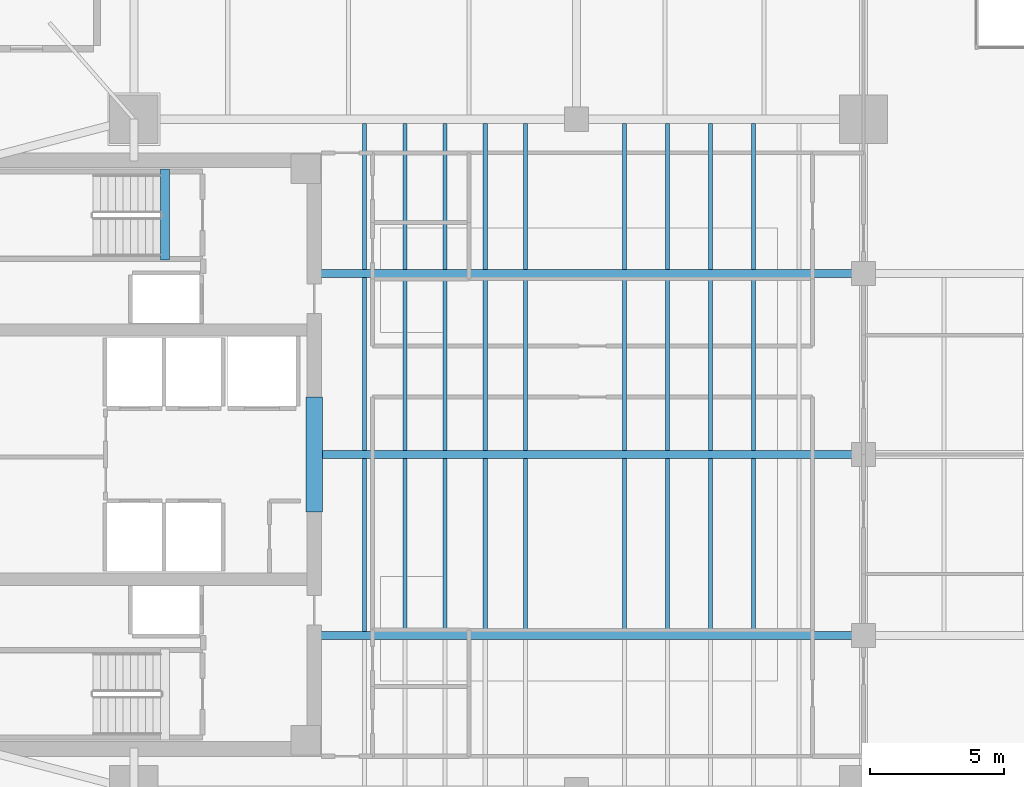
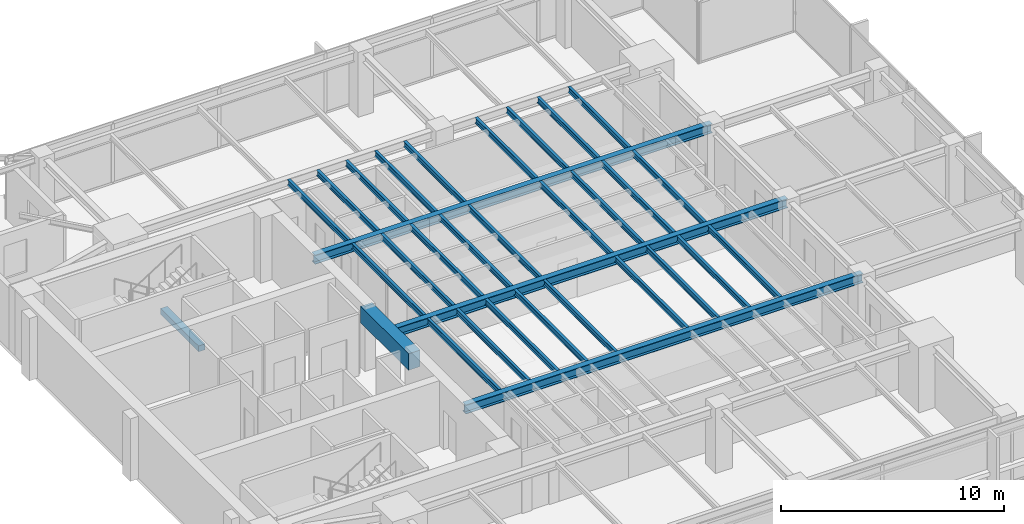
# One storey, part 3 of 14: 32 beams.
"""IFC4 building model written with IfcOpenShell, lengths in metres."""

from ifc_helpers import new_model, si_unit, direction, frame, origin, origin_2d, place, context, subcontext, project, spatial, rectangle, i_section, extrude, material, material_profile, profile_set, type_object, element, save


model = new_model("IFC4")

# Units and contexts
model_context = context("Model", 3, precision=1e-05, world=origin(), true_north=direction((0.0, 1.0)))
body_context = subcontext(model_context, "Body", "Model", "MODEL_VIEW")
ifc_project = project(units=[si_unit("LENGTHUNIT", "METRE"), si_unit("AREAUNIT", "SQUARE_METRE"), si_unit("VOLUMEUNIT", "CUBIC_METRE"), si_unit("PLANEANGLEUNIT", "RADIAN"), si_unit("MASSUNIT", "GRAM", prefix="KILO")], contexts=[model_context])

# Site, building, storey
site_placement = place(None, origin())
site = spatial("IfcSite", under=ifc_project, at=site_placement, CompositionType="ELEMENT")
building_placement = place(site_placement, origin())
building = spatial("IfcBuilding", under=site, at=building_placement, Name="Kinhvarn Gate Tower", CompositionType="ELEMENT")
storey_placement = place(building_placement, frame((0.0, 0.0, 209.35009765625)))
storey = spatial("IfcBuildingStorey", under=building, at=storey_placement, Name="L55", CompositionType="ELEMENT", Elevation=209.35009765625)

# Beams
ifc_material_1 = material(Name="Concrete C60/75", Category="concrete")
ifc_material_profile_1 = material_profile(ifc_material_1, rectangle(XDim=0.60009765625, YDim=0.89990234375, at=origin_2d()), Name="RC 600x900")
ifc_profile_set_1 = profile_set([ifc_material_profile_1], Name="Concrete C60/75")
beam_type_1 = type_object("IfcBeamType", Name="BM-CB-900", PredefinedType="LINTEL", material=ifc_profile_set_1)
beam_1_placement = place(storey_placement, frame((17.72509765625, 23.10009765625, 2.919921875), z_axis=(0.0, 1.0, 0.0), x_axis=(-1.0, 0.0, 0.0)))
element("IfcBeam", 1, at=beam_1_placement, inside=storey, type_object=beam_type_1, Name="Core East Portal Coupling Beam L55", PredefinedType="LINTEL", context=body_context, shape_type="SweptSolid", body=[
    extrude(rectangle(XDim=0.60009765625, YDim=0.89990234375, at=origin_2d()), origin(), (0.0, 0.0, 1.0), 4.2998046875),
])
ifc_material_2 = material(Name="Concrete C50/60", Category="concrete")
ifc_material_profile_2 = material_profile(ifc_material_2, rectangle(XDim=0.340087890625, YDim=0.320068359375, at=origin_2d()), Name="RC 340x320")
ifc_profile_set_2 = profile_set([ifc_material_profile_2], Name="Concrete C50/60")
beam_type_2 = type_object("IfcBeamType", Name="BM-LND-500", PredefinedType="BEAM", material=ifc_profile_set_2)
beam_2_placement = place(storey_placement, frame((12.1650390625, 32.5, -0.16015625), z_axis=(0.0, 1.0, 0.0), x_axis=(-1.0, 0.0, 0.0)))
element("IfcBeam", 2, at=beam_2_placement, inside=storey, type_object=beam_type_2, Name="Stair ST2 Landing Nosing Beam (L55)", PredefinedType="BEAM", context=body_context, shape_type="SweptSolid", body=[
    extrude(rectangle(XDim=0.340087890625, YDim=0.320068359375, at=origin_2d()), origin(), (0.0, 0.0, 1.0), 3.39990234375),
])
ifc_material_3 = material(Name="Steel S355", Category="steel")
ifc_material_profile_3 = material_profile(ifc_material_3, i_section(OverallWidth=0.300048828125, OverallDepth=0.5, WebThickness=0.014404296875, FlangeThickness=0.028076171875, at=origin_2d()), Name="HEB 500")
ifc_profile_set_3 = profile_set([ifc_material_profile_3], Name="Steel S355")
beam_type_3 = type_object("IfcBeamType", Name="STL-HEB500", PredefinedType="BEAM", material=ifc_profile_set_3)
beam_3_placement = place(storey_placement, frame((17.64990234375, 18.5, 3.119873046875), z_axis=(1.0, 0.0, 0.0), x_axis=(0.0, 1.0, 0.0)))
element("IfcBeam", 3, at=beam_3_placement, inside=storey, type_object=beam_type_3, Name="Floor Beam PG-14 (L55 EW1-Y18)", PredefinedType="BEAM", context=body_context, shape_type="SweptSolid", body=[
    extrude(i_section(OverallWidth=0.300048828125, OverallDepth=0.5, WebThickness=0.014404296875, FlangeThickness=0.028076171875, at=origin_2d()), origin(), (0.0, 0.0, 1.0), 20.550048828125),
])
beam_4_placement = place(storey_placement, frame((18.02490234375, 25.25, 3.119873046875), z_axis=(1.0, 0.0, 0.0), x_axis=(0.0, 1.0, 0.0)))
element("IfcBeam", 4, at=beam_4_placement, inside=storey, type_object=beam_type_3, Name="Floor Beam PG-14 (L55 EW1-Y25)", PredefinedType="BEAM", context=body_context, shape_type="SweptSolid", body=[
    extrude(i_section(OverallWidth=0.300048828125, OverallDepth=0.5, WebThickness=0.014404296875, FlangeThickness=0.028076171875, at=origin_2d()), origin(), (0.0, 0.0, 1.0), 20.175048828125),
])
beam_5_placement = place(storey_placement, frame((17.64990234375, 32.0, 3.119873046875), z_axis=(1.0, 0.0, 0.0), x_axis=(0.0, 1.0, 0.0)))
element("IfcBeam", 5, at=beam_5_placement, inside=storey, type_object=beam_type_3, Name="Floor Beam PG-14 (L55 EW1-Y32)", PredefinedType="BEAM", context=body_context, shape_type="SweptSolid", body=[
    extrude(i_section(OverallWidth=0.300048828125, OverallDepth=0.5, WebThickness=0.014404296875, FlangeThickness=0.028076171875, at=origin_2d()), origin(), (0.0, 0.0, 1.0), 20.550048828125),
])
ifc_material_profile_4 = material_profile(ifc_material_3, i_section(OverallWidth=0.14990234375, OverallDepth=0.300048828125, WebThickness=0.007080078125, FlangeThickness=0.0107421875, at=origin_2d()), Name="IPE 300")
ifc_profile_set_4 = profile_set([ifc_material_profile_4], Name="Steel S355")
beam_type_4 = type_object("IfcBeamType", Name="STL-IPE300", PredefinedType="JOIST", material=ifc_profile_set_4)
for number, where, z_axis, x_axis, name in (
    (6, (19.60009765625, 18.64990234375, 3.219970703125), (0.0, 1.0, 0.0), (-1.0, 0.0, 0.0), "Floor Joist SB-02 (L55 JC-X196-1)"),
    (7, (19.60009765625, 25.39990234375, 3.219970703125), (0.0, 1.0, 0.0), (-1.0, 0.0, 0.0), "Floor Joist SB-02 (L55 JC-X196-2)"),
):
    element("IfcBeam", number, at=place(storey_placement, frame(where, z_axis=z_axis, x_axis=x_axis)), inside=storey, type_object=beam_type_4, Name=name, PredefinedType="JOIST", context=body_context, shape_type="SweptSolid", body=[
        extrude(i_section(OverallWidth=0.14990234375, OverallDepth=0.300048828125, WebThickness=0.007080078125, FlangeThickness=0.0107421875, at=origin_2d()), origin(), (0.0, 0.0, 1.0), 6.4501953125),
    ])
beam_6_placement = place(storey_placement, frame((19.60009765625, 32.14990234375, 3.219970703125), z_axis=(0.0, 1.0, 0.0), x_axis=(-1.0, 0.0, 0.0)))
element("IfcBeam", 8, at=beam_6_placement, inside=storey, type_object=beam_type_4, Name="Floor Joist SB-02 (L55 JC-X196-3)", PredefinedType="JOIST", context=body_context, shape_type="SweptSolid", body=[
    extrude(i_section(OverallWidth=0.14990234375, OverallDepth=0.300048828125, WebThickness=0.007080078125, FlangeThickness=0.0107421875, at=origin_2d()), origin(), (0.0, 0.0, 1.0), 5.4501953125),
])
for number, where, z_axis, x_axis, name in (
    (9, (21.10009765625, 18.64990234375, 3.219970703125), (0.0, 1.0, 0.0), (-1.0, 0.0, 0.0), "Floor Joist SB-02 (L55 JC-X211-1)"),
    (10, (21.10009765625, 25.39990234375, 3.219970703125), (0.0, 1.0, 0.0), (-1.0, 0.0, 0.0), "Floor Joist SB-02 (L55 JC-X211-2)"),
):
    element("IfcBeam", number, at=place(storey_placement, frame(where, z_axis=z_axis, x_axis=x_axis)), inside=storey, type_object=beam_type_4, Name=name, PredefinedType="JOIST", context=body_context, shape_type="SweptSolid", body=[
        extrude(i_section(OverallWidth=0.14990234375, OverallDepth=0.300048828125, WebThickness=0.007080078125, FlangeThickness=0.0107421875, at=origin_2d()), origin(), (0.0, 0.0, 1.0), 6.4501953125),
    ])
beam_7_placement = place(storey_placement, frame((21.10009765625, 32.14990234375, 3.219970703125), z_axis=(0.0, 1.0, 0.0), x_axis=(-1.0, 0.0, 0.0)))
element("IfcBeam", 11, at=beam_7_placement, inside=storey, type_object=beam_type_4, Name="Floor Joist SB-02 (L55 JC-X211-3)", PredefinedType="JOIST", context=body_context, shape_type="SweptSolid", body=[
    extrude(i_section(OverallWidth=0.14990234375, OverallDepth=0.300048828125, WebThickness=0.007080078125, FlangeThickness=0.0107421875, at=origin_2d()), origin(), (0.0, 0.0, 1.0), 5.4501953125),
])
for number, where, z_axis, x_axis, name in (
    (12, (22.60009765625, 18.64990234375, 3.219970703125), (0.0, 1.0, 0.0), (-1.0, 0.0, 0.0), "Floor Joist SB-02 (L55 JC-X226-1)"),
    (13, (22.60009765625, 25.39990234375, 3.219970703125), (0.0, 1.0, 0.0), (-1.0, 0.0, 0.0), "Floor Joist SB-02 (L55 JC-X226-2)"),
):
    element("IfcBeam", number, at=place(storey_placement, frame(where, z_axis=z_axis, x_axis=x_axis)), inside=storey, type_object=beam_type_4, Name=name, PredefinedType="JOIST", context=body_context, shape_type="SweptSolid", body=[
        extrude(i_section(OverallWidth=0.14990234375, OverallDepth=0.300048828125, WebThickness=0.007080078125, FlangeThickness=0.0107421875, at=origin_2d()), origin(), (0.0, 0.0, 1.0), 6.4501953125),
    ])
beam_8_placement = place(storey_placement, frame((22.60009765625, 32.14990234375, 3.219970703125), z_axis=(0.0, 1.0, 0.0), x_axis=(-1.0, 0.0, 0.0)))
element("IfcBeam", 14, at=beam_8_placement, inside=storey, type_object=beam_type_4, Name="Floor Joist SB-02 (L55 JC-X226-3)", PredefinedType="JOIST", context=body_context, shape_type="SweptSolid", body=[
    extrude(i_section(OverallWidth=0.14990234375, OverallDepth=0.300048828125, WebThickness=0.007080078125, FlangeThickness=0.0107421875, at=origin_2d()), origin(), (0.0, 0.0, 1.0), 5.4501953125),
])
for number, where, z_axis, x_axis, name in (
    (15, (24.10009765625, 18.64990234375, 3.219970703125), (0.0, 1.0, 0.0), (-1.0, 0.0, 0.0), "Floor Joist SB-02 (L55 JC-X241-1)"),
    (16, (24.10009765625, 25.39990234375, 3.219970703125), (0.0, 1.0, 0.0), (-1.0, 0.0, 0.0), "Floor Joist SB-02 (L55 JC-X241-2)"),
):
    element("IfcBeam", number, at=place(storey_placement, frame(where, z_axis=z_axis, x_axis=x_axis)), inside=storey, type_object=beam_type_4, Name=name, PredefinedType="JOIST", context=body_context, shape_type="SweptSolid", body=[
        extrude(i_section(OverallWidth=0.14990234375, OverallDepth=0.300048828125, WebThickness=0.007080078125, FlangeThickness=0.0107421875, at=origin_2d()), origin(), (0.0, 0.0, 1.0), 6.4501953125),
    ])
beam_9_placement = place(storey_placement, frame((24.10009765625, 32.14990234375, 3.219970703125), z_axis=(0.0, 1.0, 0.0), x_axis=(-1.0, 0.0, 0.0)))
element("IfcBeam", 17, at=beam_9_placement, inside=storey, type_object=beam_type_4, Name="Floor Joist SB-02 (L55 JC-X241-3)", PredefinedType="JOIST", context=body_context, shape_type="SweptSolid", body=[
    extrude(i_section(OverallWidth=0.14990234375, OverallDepth=0.300048828125, WebThickness=0.007080078125, FlangeThickness=0.0107421875, at=origin_2d()), origin(), (0.0, 0.0, 1.0), 5.4501953125),
])
for number, where, z_axis, x_axis, name in (
    (18, (25.60009765625, 18.64990234375, 3.219970703125), (0.0, 1.0, 0.0), (-1.0, 0.0, 0.0), "Floor Joist SB-02 (L55 JC-X256-1)"),
    (19, (25.60009765625, 25.39990234375, 3.219970703125), (0.0, 1.0, 0.0), (-1.0, 0.0, 0.0), "Floor Joist SB-02 (L55 JC-X256-2)"),
):
    element("IfcBeam", number, at=place(storey_placement, frame(where, z_axis=z_axis, x_axis=x_axis)), inside=storey, type_object=beam_type_4, Name=name, PredefinedType="JOIST", context=body_context, shape_type="SweptSolid", body=[
        extrude(i_section(OverallWidth=0.14990234375, OverallDepth=0.300048828125, WebThickness=0.007080078125, FlangeThickness=0.0107421875, at=origin_2d()), origin(), (0.0, 0.0, 1.0), 6.4501953125),
    ])
beam_10_placement = place(storey_placement, frame((25.60009765625, 32.14990234375, 3.219970703125), z_axis=(0.0, 1.0, 0.0), x_axis=(-1.0, 0.0, 0.0)))
element("IfcBeam", 20, at=beam_10_placement, inside=storey, type_object=beam_type_4, Name="Floor Joist SB-02 (L55 JC-X256-3)", PredefinedType="JOIST", context=body_context, shape_type="SweptSolid", body=[
    extrude(i_section(OverallWidth=0.14990234375, OverallDepth=0.300048828125, WebThickness=0.007080078125, FlangeThickness=0.0107421875, at=origin_2d()), origin(), (0.0, 0.0, 1.0), 5.4501953125),
])
for number, where, z_axis, x_axis, name in (
    (21, (29.300048828125, 18.64990234375, 3.219970703125), (0.0, 1.0, 0.0), (-1.0, 0.0, 0.0), "Floor Joist SB-02 (L55 JC-X293-1)"),
    (22, (29.300048828125, 25.39990234375, 3.219970703125), (0.0, 1.0, 0.0), (-1.0, 0.0, 0.0), "Floor Joist SB-02 (L55 JC-X293-2)"),
):
    element("IfcBeam", number, at=place(storey_placement, frame(where, z_axis=z_axis, x_axis=x_axis)), inside=storey, type_object=beam_type_4, Name=name, PredefinedType="JOIST", context=body_context, shape_type="SweptSolid", body=[
        extrude(i_section(OverallWidth=0.14990234375, OverallDepth=0.300048828125, WebThickness=0.007080078125, FlangeThickness=0.0107421875, at=origin_2d()), origin(), (0.0, 0.0, 1.0), 6.4501953125),
    ])
beam_11_placement = place(storey_placement, frame((29.300048828125, 32.14990234375, 3.219970703125), z_axis=(0.0, 1.0, 0.0), x_axis=(-1.0, 0.0, 0.0)))
element("IfcBeam", 23, at=beam_11_placement, inside=storey, type_object=beam_type_4, Name="Floor Joist SB-02 (L55 JC-X293-3)", PredefinedType="JOIST", context=body_context, shape_type="SweptSolid", body=[
    extrude(i_section(OverallWidth=0.14990234375, OverallDepth=0.300048828125, WebThickness=0.007080078125, FlangeThickness=0.0107421875, at=origin_2d()), origin(), (0.0, 0.0, 1.0), 5.4501953125),
])
for number, where, z_axis, x_axis, name in (
    (24, (30.89990234375, 18.64990234375, 3.219970703125), (0.0, 1.0, 0.0), (-1.0, 0.0, 0.0), "Floor Joist SB-02 (L55 JC-X309-1)"),
    (25, (30.89990234375, 25.39990234375, 3.219970703125), (0.0, 1.0, 0.0), (-1.0, 0.0, 0.0), "Floor Joist SB-02 (L55 JC-X309-2)"),
):
    element("IfcBeam", number, at=place(storey_placement, frame(where, z_axis=z_axis, x_axis=x_axis)), inside=storey, type_object=beam_type_4, Name=name, PredefinedType="JOIST", context=body_context, shape_type="SweptSolid", body=[
        extrude(i_section(OverallWidth=0.14990234375, OverallDepth=0.300048828125, WebThickness=0.007080078125, FlangeThickness=0.0107421875, at=origin_2d()), origin(), (0.0, 0.0, 1.0), 6.4501953125),
    ])
beam_12_placement = place(storey_placement, frame((30.89990234375, 32.14990234375, 3.219970703125), z_axis=(0.0, 1.0, 0.0), x_axis=(-1.0, 0.0, 0.0)))
element("IfcBeam", 26, at=beam_12_placement, inside=storey, type_object=beam_type_4, Name="Floor Joist SB-02 (L55 JC-X309-3)", PredefinedType="JOIST", context=body_context, shape_type="SweptSolid", body=[
    extrude(i_section(OverallWidth=0.14990234375, OverallDepth=0.300048828125, WebThickness=0.007080078125, FlangeThickness=0.0107421875, at=origin_2d()), origin(), (0.0, 0.0, 1.0), 5.4501953125),
])
for number, where, z_axis, x_axis, name in (
    (27, (32.5, 18.64990234375, 3.219970703125), (0.0, 1.0, 0.0), (-1.0, 0.0, 0.0), "Floor Joist SB-02 (L55 JC-X325-1)"),
    (28, (32.5, 25.39990234375, 3.219970703125), (0.0, 1.0, 0.0), (-1.0, 0.0, 0.0), "Floor Joist SB-02 (L55 JC-X325-2)"),
):
    element("IfcBeam", number, at=place(storey_placement, frame(where, z_axis=z_axis, x_axis=x_axis)), inside=storey, type_object=beam_type_4, Name=name, PredefinedType="JOIST", context=body_context, shape_type="SweptSolid", body=[
        extrude(i_section(OverallWidth=0.14990234375, OverallDepth=0.300048828125, WebThickness=0.007080078125, FlangeThickness=0.0107421875, at=origin_2d()), origin(), (0.0, 0.0, 1.0), 6.4501953125),
    ])
beam_13_placement = place(storey_placement, frame((32.5, 32.14990234375, 3.219970703125), z_axis=(0.0, 1.0, 0.0), x_axis=(-1.0, 0.0, 0.0)))
element("IfcBeam", 29, at=beam_13_placement, inside=storey, type_object=beam_type_4, Name="Floor Joist SB-02 (L55 JC-X325-3)", PredefinedType="JOIST", context=body_context, shape_type="SweptSolid", body=[
    extrude(i_section(OverallWidth=0.14990234375, OverallDepth=0.300048828125, WebThickness=0.007080078125, FlangeThickness=0.0107421875, at=origin_2d()), origin(), (0.0, 0.0, 1.0), 5.4501953125),
])
for number, where, z_axis, x_axis, name in (
    (30, (34.10009765625, 18.64990234375, 3.219970703125), (0.0, 1.0, 0.0), (-1.0, 0.0, 0.0), "Floor Joist SB-02 (L55 JC-X341-1)"),
    (31, (34.10009765625, 25.39990234375, 3.219970703125), (0.0, 1.0, 0.0), (-1.0, 0.0, 0.0), "Floor Joist SB-02 (L55 JC-X341-2)"),
):
    element("IfcBeam", number, at=place(storey_placement, frame(where, z_axis=z_axis, x_axis=x_axis)), inside=storey, type_object=beam_type_4, Name=name, PredefinedType="JOIST", context=body_context, shape_type="SweptSolid", body=[
        extrude(i_section(OverallWidth=0.14990234375, OverallDepth=0.300048828125, WebThickness=0.007080078125, FlangeThickness=0.0107421875, at=origin_2d()), origin(), (0.0, 0.0, 1.0), 6.4501953125),
    ])
beam_14_placement = place(storey_placement, frame((34.10009765625, 32.14990234375, 3.219970703125), z_axis=(0.0, 1.0, 0.0), x_axis=(-1.0, 0.0, 0.0)))
element("IfcBeam", 32, at=beam_14_placement, inside=storey, type_object=beam_type_4, Name="Floor Joist SB-02 (L55 JC-X341-3)", PredefinedType="JOIST", context=body_context, shape_type="SweptSolid", body=[
    extrude(i_section(OverallWidth=0.14990234375, OverallDepth=0.300048828125, WebThickness=0.007080078125, FlangeThickness=0.0107421875, at=origin_2d()), origin(), (0.0, 0.0, 1.0), 5.4501953125),
])

save(model, "model.ifc")
